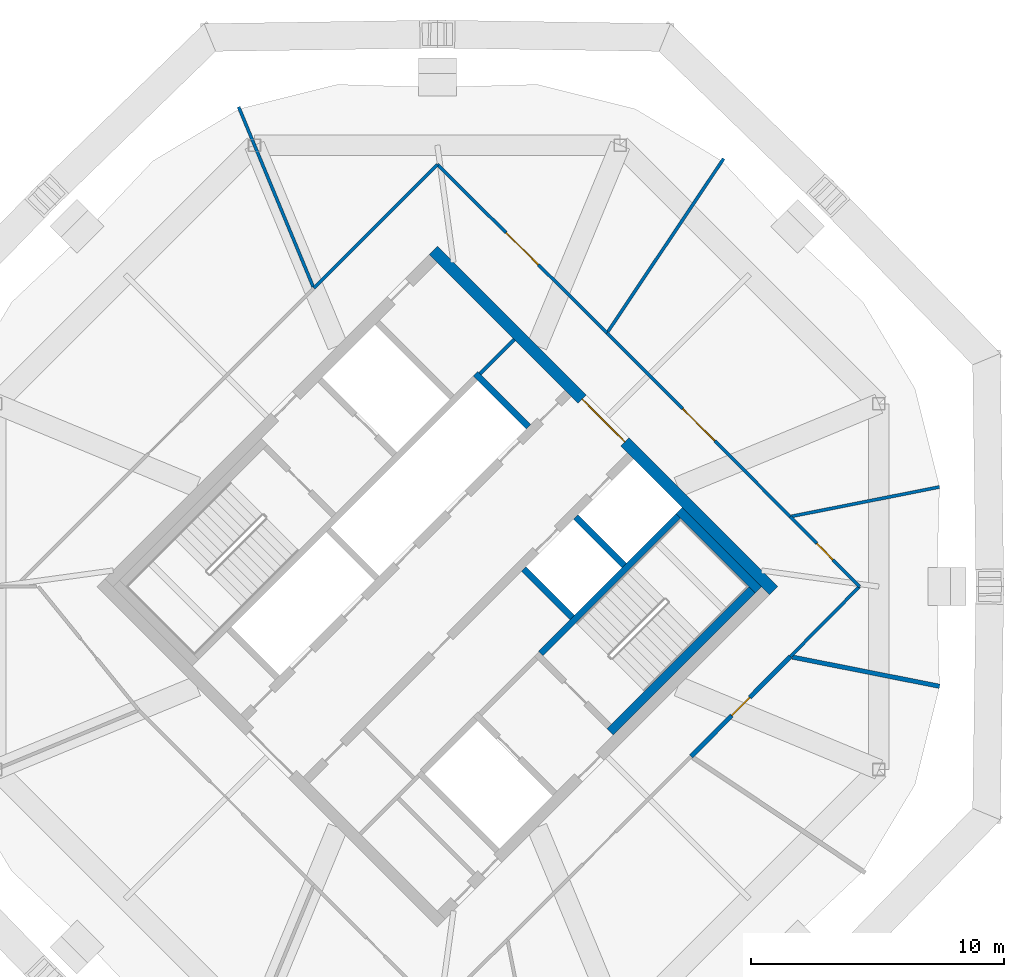
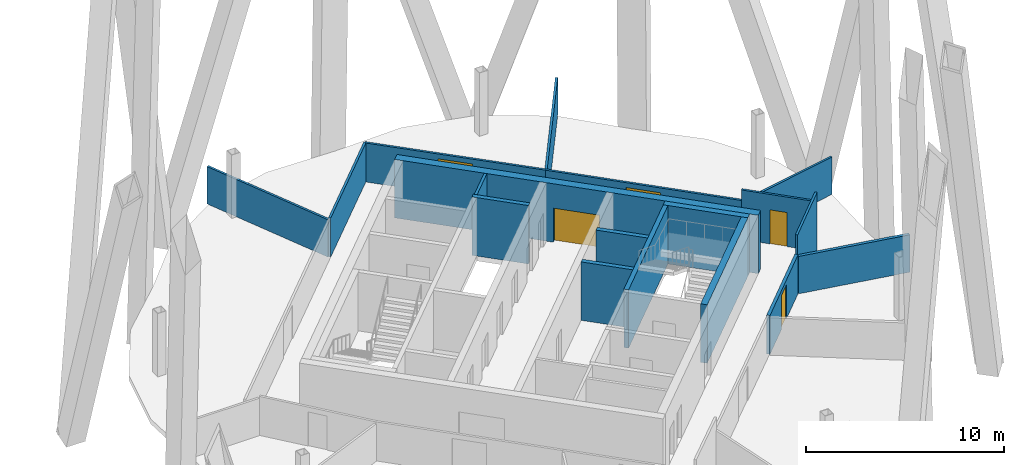
# One storey, part 8 of 11: 18 walls, 5 doors, 5 openings.
"""IFC4 building model written with IfcOpenShell, lengths in metres."""

from ifc_helpers import new_model, si_unit, direction, frame, frame_2d, origin, place, context, subcontext, project, spatial, rectangle, extrude, material, layer, layer_set, type_object, element, fill, save


model = new_model("IFC4")

# Units and contexts
model_context = context("Model", 3, precision=1e-05, world=origin(), true_north=direction((0.0, 1.0)))
body_context = subcontext(model_context, "Body", "Model", "MODEL_VIEW")
ifc_project = project(units=[si_unit("LENGTHUNIT", "METRE"), si_unit("AREAUNIT", "SQUARE_METRE"), si_unit("VOLUMEUNIT", "CUBIC_METRE"), si_unit("PLANEANGLEUNIT", "RADIAN"), si_unit("MASSUNIT", "GRAM", prefix="KILO")], contexts=[model_context])

# Site, building, storey
site_placement = place(None, origin())
site = spatial("IfcSite", under=ifc_project, at=site_placement, CompositionType="ELEMENT")
building_placement = place(site_placement, origin())
building = spatial("IfcBuilding", under=site, at=building_placement, Name="Ogive Gate Towers", CompositionType="ELEMENT")
storey_placement = place(building_placement, frame((0.0, 0.0, 244.5)))
storey = spatial("IfcBuildingStorey", under=building, at=storey_placement, Name="L58", CompositionType="ELEMENT", Elevation=244.5)

# Wall
ifc_material_1 = material(Name="Gypsum board acoustic partition")
ifc_layer_1 = layer(ifc_material_1, 0.175048828125)
ifc_layer_set_1 = layer_set([ifc_layer_1], Name="Acoustic partition 175")
wall_type_1 = type_object("IfcWallType", Name="Acoustic partition 175", PredefinedType="PARTITIONING", material=ifc_layer_set_1)
wall_1_placement = place(storey_placement, frame((55.822998046875, -3.93408203125, 0.0), z_axis=(0.0, 0.0, 1.0), x_axis=(-0.9808666392, 0.194680857059, 0.0)))
element("IfcWall", 1, at=wall_1_placement, inside=storey, type_object=wall_type_1, Name="Partition T2-L58-009", PredefinedType="PARTITIONING", context=body_context, shape_type="SweptSolid", body=[
    extrude(rectangle(XDim=5.921630859375, YDim=0.175048828125, at=frame_2d((2.9609375, 0.0))), origin(), (0.0, 0.0, 1.0), 2.300048828125),
])

# Wall, opening, door
wall_2_placement = place(storey_placement, frame((46.016845703125, -6.69921875, 0.0), z_axis=(0.0, 0.0, 1.0), x_axis=(0.705057815865, 0.709149826404, 0.0)))
wall_2 = element("IfcWall", 2, at=wall_2_placement, inside=storey, type_object=wall_type_1, Name="Partition T2-L58-016", PredefinedType="PARTITIONING", context=body_context, shape_type="SweptSolid", body=[
    extrude(rectangle(XDim=5.548583984375, YDim=0.175048828125, at=frame_2d((2.7744140625, 0.0))), origin(), (0.0, 0.0, 1.0), 2.39990234375),
])
opening_1_placement = place(wall_2_placement, frame((2.27392578125, 0.0, 0.0)))
opening_1 = element("IfcOpeningElement", 3, at=opening_1_placement, cuts=wall_2, Name="Opening T2-L58-D06", PredefinedType="OPENING", context=body_context, shape_type="SweptSolid", body=[
    extrude(rectangle(XDim=1.0, YDim=2.10009765625, at=frame_2d((0.5, 1.050048828125))), frame((0.0, 0.09765625, 0.0), z_axis=(0.0, -1.0, 0.0), x_axis=(1.0, 0.0, 0.0)), (0.0, 0.0, 1.0), 0.195068359375),
])
ifc_material_2 = material(Name="Timber door", Category="wood")
door_type_1 = type_object("IfcDoorType", Name="Door 1000", OperationType="NOTDEFINED", PredefinedType="DOOR", material=ifc_material_2)
door_1_placement = place(opening_1_placement, origin())
door_1 = element("IfcDoor", 4, at=door_1_placement, inside=storey, type_object=door_type_1, Name="Door T2-L58-D06", OperationType="SINGLE_SWING_RIGHT", OverallHeight=2.10009765625, OverallWidth=1.0, PredefinedType="DOOR", context=body_context, shape_type="SweptSolid", body=[
    extrude(rectangle(XDim=1.0, YDim=2.10009765625, at=frame_2d((0.5, 1.050048828125))), frame((0.0, 0.02490234375, 0.0), z_axis=(0.0, -1.0, 0.0), x_axis=(1.0, 0.0, 0.0)), (0.0, 0.0, 1.0), 0.050048828125),
])
fill(opening_1, door_1)

ifc_material_3 = material(Name="Concrete C60/75", Category="concrete")
ifc_layer_2 = layer(ifc_material_3, 0.449951171875)
ifc_layer_set_2 = layer_set([ifc_layer_2], Name="Core wall 450 mm")
wall_type_2 = type_object("IfcWallType", Name="Core wall 450 mm", PredefinedType="SHEAR", material=ifc_layer_set_2)
wall_3_placement = place(storey_placement, frame((49.27587890625, -0.1591796875, 0.0), z_axis=(0.0, 0.0, 1.0), x_axis=(-0.707106781187, 0.707106781187, 0.0)))
wall_3 = element("IfcWall", 5, at=wall_3_placement, inside=storey, type_object=wall_type_2, Name="T2 L58 Core wall 450 mm", PredefinedType="SHEAR", context=body_context, shape_type="SweptSolid", body=[
    extrude(rectangle(XDim=19.0, YDim=0.449951171875, at=frame_2d((9.5, 0.0))), origin(), (0.0, 0.0, 1.0), 3.60009765625),
])
opening_2_placement = place(wall_3_placement, frame((8.300048828125, 0.0, 0.0)))
opening_2 = element("IfcOpeningElement", 6, at=opening_2_placement, cuts=wall_3, Name="Opening KD-T2-L58-02", PredefinedType="OPENING", context=body_context, shape_type="SweptSolid", body=[
    extrude(rectangle(XDim=2.39990234375, YDim=2.10009765625, at=frame_2d((1.199951171875, 1.050048828125))), frame((0.0, 0.23486328125, 0.0), z_axis=(0.0, -1.0, 0.0), x_axis=(1.0, 0.0, 0.0)), (0.0, 0.0, 1.0), 0.469970703125),
])
ifc_material_4 = material(Name="Steel fire door", Category="steel")
door_type_2 = type_object("IfcDoorType", Name="Core double door FD60S 2400 x 2100", OperationType="DOUBLE_DOOR_SINGLE_SWING", PredefinedType="DOOR", material=ifc_material_4)
door_2_placement = place(opening_2_placement, origin())
door_2 = element("IfcDoor", 7, at=door_2_placement, inside=storey, type_object=door_type_2, Name="T2 L58 Core door double", OperationType="DOUBLE_DOOR_SINGLE_SWING", OverallHeight=2.10009765625, OverallWidth=2.39990234375, PredefinedType="DOOR", context=body_context, shape_type="SweptSolid", body=[
    extrude(rectangle(XDim=2.39990234375, YDim=2.10009765625, at=frame_2d((1.199951171875, 1.050048828125))), frame((0.0, 0.02490234375, 0.0), z_axis=(0.0, -1.0, 0.0), x_axis=(1.0, 0.0, 0.0)), (0.0, 0.0, 1.0), 0.050048828125),
])
fill(opening_2, door_2)

# Walls
ifc_material_5 = material(Name="Gypsum board partition")
ifc_layer_3 = layer(ifc_material_5, 0.125)
ifc_layer_set_3 = layer_set([ifc_layer_3], Name="Partition 125")
wall_type_3 = type_object("IfcWallType", Name="Partition 125", PredefinedType="PARTITIONING", material=ifc_layer_set_3)
wall_4_placement = place(storey_placement, frame((55.822998046875, 3.93408203125, 0.0), z_axis=(0.0, 0.0, 1.0), x_axis=(-0.980873285641, -0.194647367093, 0.0)))
element("IfcWall", 8, at=wall_4_placement, inside=storey, type_object=wall_type_3, Name="Partition T2-L58-001", PredefinedType="PARTITIONING", context=body_context, shape_type="SweptSolid", body=[
    extrude(rectangle(XDim=5.946533203125, YDim=0.125, at=frame_2d((2.97314453125, 0.0))), origin(), (0.0, 0.0, 1.0), 2.300048828125),
])
wall_5_placement = place(storey_placement, frame((47.300048828125, 16.89599609375, 0.0), z_axis=(0.0, 0.0, 1.0), x_axis=(-0.555927420899, -0.831230835985, 0.0)))
element("IfcWall", 9, at=wall_5_placement, inside=storey, type_object=wall_type_3, Name="Partition T2-L58-002", PredefinedType="PARTITIONING", context=body_context, shape_type="SweptSolid", body=[
    extrude(rectangle(XDim=8.213623046875, YDim=0.125, at=frame_2d((4.10693359375, 0.0))), origin(), (0.0, 0.0, 1.0), 2.300048828125),
])
wall_6_placement = place(storey_placement, frame((28.155517578125, 18.93798828125, 0.0), z_axis=(0.0, 0.0, 1.0), x_axis=(0.382690357736, -0.923876663898, 0.0)))
element("IfcWall", 10, at=wall_6_placement, inside=storey, type_object=wall_type_3, Name="Partition T2-L58-003", PredefinedType="PARTITIONING", context=body_context, shape_type="SweptSolid", body=[
    extrude(rectangle(XDim=7.684814453125, YDim=0.125, at=frame_2d((3.84228515625, 0.0))), origin(), (0.0, 0.0, 1.0), 2.300048828125),
])

# Wall, opening, door
wall_7_placement = place(storey_placement, frame((52.659423828125, 0.0, 0.0), z_axis=(0.0, 0.0, 1.0), x_axis=(-0.702726389959, 0.711460203282, 0.0)))
wall_7 = element("IfcWall", 11, at=wall_7_placement, inside=storey, type_object=wall_type_3, Name="Partition T2-L58-017", PredefinedType="PARTITIONING", context=body_context, shape_type="SweptSolid", body=[
    extrude(rectangle(XDim=3.885498046875, YDim=0.125, at=frame_2d((1.94287109375, 0.0))), origin(), (0.0, 0.0, 1.0), 3.050048828125),
])
opening_3_placement = place(wall_7_placement, frame((1.492919921875, 0.0, 0.0)))
opening_3 = element("IfcOpeningElement", 12, at=opening_3_placement, cuts=wall_7, Name="Opening T2-L58-D07", PredefinedType="OPENING", context=body_context, shape_type="SweptSolid", body=[
    extrude(rectangle(XDim=0.89990234375, YDim=2.10009765625, at=frame_2d((0.449951171875, 1.050048828125))), frame((0.0, 0.072509765625, 0.0), z_axis=(0.0, -1.0, 0.0), x_axis=(1.0, 0.0, 0.0)), (0.0, 0.0, 1.0), 0.14501953125),
])
door_type_3 = type_object("IfcDoorType", Name="Door 900", OperationType="NOTDEFINED", PredefinedType="DOOR", material=ifc_material_2)
door_3_placement = place(opening_3_placement, origin())
door_3 = element("IfcDoor", 13, at=door_3_placement, inside=storey, type_object=door_type_3, Name="Door T2-L58-D07", OperationType="SINGLE_SWING_LEFT", OverallHeight=2.10009765625, OverallWidth=0.89990234375, PredefinedType="DOOR", context=body_context, shape_type="SweptSolid", body=[
    extrude(rectangle(XDim=0.89990234375, YDim=2.10009765625, at=frame_2d((0.449951171875, 1.050048828125))), frame((0.0, 0.02490234375, 0.0), z_axis=(0.0, -1.0, 0.0), x_axis=(1.0, 0.0, 0.0)), (0.0, 0.0, 1.0), 0.050048828125),
])
fill(opening_3, door_3)

# Wall
wall_8_placement = place(storey_placement, frame((49.928955078125, -2.764404296875, 0.0), z_axis=(0.0, 0.0, 1.0), x_axis=(0.702726389959, 0.711460203282, 0.0)))
element("IfcWall", 14, at=wall_8_placement, inside=storey, type_object=wall_type_3, Name="Partition T2-L58-018", PredefinedType="PARTITIONING", context=body_context, shape_type="SweptSolid", body=[
    extrude(rectangle(XDim=3.885498046875, YDim=0.125, at=frame_2d((1.94287109375, 0.0))), origin(), (0.0, 0.0, 1.0), 3.60009765625),
])

# Wall, opening, door
wall_9_placement = place(storey_placement, frame((49.928955078125, 2.764404296875, 0.0), z_axis=(0.0, 0.0, 1.0), x_axis=(-0.705997315424, 0.708214508898, 0.0)))
wall_9 = element("IfcWall", 15, at=wall_9_placement, inside=storey, type_object=wall_type_3, Name="Partition T2-L58-019", PredefinedType="PARTITIONING", context=body_context, shape_type="SweptSolid", body=[
    extrude(rectangle(XDim=10.240478515625, YDim=0.125, at=frame_2d((5.1201171875, 0.0))), origin(), (0.0, 0.0, 1.0), 2.39990234375),
])
opening_4_placement = place(wall_9_placement, frame((4.219970703125, 0.0, 0.0)))
opening_4 = element("IfcOpeningElement", 16, at=opening_4_placement, cuts=wall_9, Name="Opening T2-L58-D08", PredefinedType="OPENING", context=body_context, shape_type="SweptSolid", body=[
    extrude(rectangle(XDim=1.800048828125, YDim=2.10009765625, at=frame_2d((0.89990234375, 1.050048828125))), frame((0.0, 0.072509765625, 0.0), z_axis=(0.0, -1.0, 0.0), x_axis=(1.0, 0.0, 0.0)), (0.0, 0.0, 1.0), 0.14501953125),
])
door_type_4 = type_object("IfcDoorType", Name="Door pair 1800", OperationType="NOTDEFINED", PredefinedType="DOOR", material=ifc_material_2)
door_4_placement = place(opening_4_placement, origin())
door_4 = element("IfcDoor", 17, at=door_4_placement, inside=storey, type_object=door_type_4, Name="Door T2-L58-D08", OperationType="DOUBLE_DOOR_DOUBLE_SWING", OverallHeight=2.10009765625, OverallWidth=1.800048828125, PredefinedType="DOOR", context=body_context, shape_type="SweptSolid", body=[
    extrude(rectangle(XDim=1.800048828125, YDim=2.10009765625, at=frame_2d((0.89990234375, 1.050048828125))), frame((0.0, 0.02490234375, 0.0), z_axis=(0.0, -1.0, 0.0), x_axis=(1.0, 0.0, 0.0)), (0.0, 0.0, 1.0), 0.050048828125),
])
fill(opening_4, door_4)

wall_10_placement = place(storey_placement, frame((42.69921875, 10.016845703125, 0.0), z_axis=(0.0, 0.0, 1.0), x_axis=(-0.710102299362, 0.704098518988, 0.0)))
wall_10 = element("IfcWall", 18, at=wall_10_placement, inside=storey, type_object=wall_type_3, Name="Partition T2-L58-020", PredefinedType="PARTITIONING", context=body_context, shape_type="SweptSolid", body=[
    extrude(rectangle(XDim=9.43408203125, YDim=0.125, at=frame_2d((4.717041015625, 0.0))), origin(), (0.0, 0.0, 1.0), 2.39990234375),
])
opening_5_placement = place(wall_10_placement, frame((3.81689453125, 0.0, 0.0)))
opening_5 = element("IfcOpeningElement", 19, at=opening_5_placement, cuts=wall_10, Name="Opening T2-L58-D09", PredefinedType="OPENING", context=body_context, shape_type="SweptSolid", body=[
    extrude(rectangle(XDim=1.800048828125, YDim=2.10009765625, at=frame_2d((0.89990234375, 1.050048828125))), frame((0.0, 0.072509765625, 0.0), z_axis=(0.0, -1.0, 0.0), x_axis=(1.0, 0.0, 0.0)), (0.0, 0.0, 1.0), 0.14501953125),
])
door_5_placement = place(opening_5_placement, origin())
door_5 = element("IfcDoor", 20, at=door_5_placement, inside=storey, type_object=door_type_4, Name="Door T2-L58-D09", OperationType="DOUBLE_DOOR_DOUBLE_SWING", OverallHeight=2.10009765625, OverallWidth=1.800048828125, PredefinedType="DOOR", context=body_context, shape_type="SweptSolid", body=[
    extrude(rectangle(XDim=1.800048828125, YDim=2.10009765625, at=frame_2d((0.89990234375, 1.050048828125))), frame((0.0, 0.02490234375, 0.0), z_axis=(0.0, -1.0, 0.0), x_axis=(1.0, 0.0, 0.0)), (0.0, 0.0, 1.0), 0.050048828125),
])
fill(opening_5, door_5)

# Walls
wall_11_placement = place(storey_placement, frame((36.0, 16.659423828125, 0.0), z_axis=(0.0, 0.0, 1.0), x_axis=(-0.70715985068, -0.70705370771, 0.0)))
element("IfcWall", 21, at=wall_11_placement, inside=storey, type_object=wall_type_3, Name="Partition T2-L58-021", PredefinedType="PARTITIONING", context=body_context, shape_type="SweptSolid", body=[
    extrude(rectangle(XDim=6.900390625, YDim=0.125, at=frame_2d((3.4501953125, 0.0))), origin(), (0.0, 0.0, 1.0), 2.39990234375),
])
ifc_layer_4 = layer(ifc_material_5, 0.14990234375)
ifc_layer_set_4 = layer_set([ifc_layer_4], Name="Room partition 150 mm")
wall_type_4 = type_object("IfcWallType", Name="Room partition 150 mm", PredefinedType="PARTITIONING", material=ifc_layer_set_4)
wall_12_placement = place(storey_placement, frame((37.679443359375, 8.39697265625, 0.0), z_axis=(0.0, 0.0, 1.0), x_axis=(0.707106781187, 0.707106781187, 0.0)))
element("IfcWall", 22, at=wall_12_placement, inside=storey, type_object=wall_type_4, Name="T2 L58 Room partition 150 mm", PredefinedType="PARTITIONING", context=body_context, shape_type="SweptSolid", body=[
    extrude(rectangle(XDim=1.9248046875, YDim=0.14990234375, at=frame_2d((0.96240234375, 0.0))), origin(), (0.0, 0.0, 1.0), 3.60009765625),
])
ifc_layer_5 = layer(ifc_material_3, 0.25)
ifc_layer_set_5 = layer_set([ifc_layer_5], Name="Shaft wall 250 mm")
wall_type_5 = type_object("IfcWallType", Name="Shaft wall 250 mm", PredefinedType="SHEAR", material=ifc_layer_set_5)
wall_13_placement = place(storey_placement, frame((40.08349609375, -2.634033203125, 0.0), z_axis=(0.0, 0.0, 1.0), x_axis=(0.707090876314, 0.707122685701, 0.0)))
element("IfcWall", 23, at=wall_13_placement, inside=storey, type_object=wall_type_5, Name="T2 L58 Shaft wall 250 mm", PredefinedType="SHEAR", context=body_context, shape_type="SweptSolid", body=[
    extrude(rectangle(XDim=7.675048828125, YDim=0.25, at=frame_2d((3.83740234375, 0.0))), origin(), (0.0, 0.0, 1.0), 3.60009765625),
])
for number, where, z_axis, x_axis, name in (
    (24, (41.321044921875, -1.2197265625, 0.0), (0.0, 0.0, 1.0), (-0.707106781187, 0.707106781187, 0.0), "T2 L58 Shaft wall 250 mm"),
    (25, (43.37158203125, 0.830810546875, 0.0), (0.0, 0.0, 1.0), (-0.707106781187, 0.707106781187, 0.0), "T2 L58 Shaft wall 250 mm"),
):
    element("IfcWall", number, at=place(storey_placement, frame(where, z_axis=z_axis, x_axis=x_axis)), inside=storey, type_object=wall_type_5, Name=name, PredefinedType="SHEAR", context=body_context, shape_type="SweptSolid", body=[
        extrude(rectangle(XDim=2.699951171875, YDim=0.25, at=frame_2d((1.35009765625, 0.0))), origin(), (0.0, 0.0, 1.0), 3.60009765625),
    ])
wall_14_placement = place(storey_placement, frame((39.588623046875, 6.310791015625, 0.0), z_axis=(0.0, 0.0, 1.0), x_axis=(-0.707065402085, 0.707148157867, 0.0)))
element("IfcWall", 26, at=wall_14_placement, inside=storey, type_object=wall_type_5, Name="T2 L58 Shaft wall 250 mm", PredefinedType="SHEAR", context=body_context, shape_type="SweptSolid", body=[
    extrude(rectangle(XDim=2.9501953125, YDim=0.25, at=frame_2d((1.47509765625, 0.0))), origin(), (0.0, 0.0, 1.0), 3.60009765625),
])
ifc_layer_6 = layer(ifc_material_3, 0.35009765625)
ifc_layer_set_6 = layer_set([ifc_layer_6], Name="Stair wall 350 mm")
wall_type_6 = type_object("IfcWallType", Name="Stair wall 350 mm", PredefinedType="SHEAR", material=ifc_layer_set_6)
wall_15_placement = place(storey_placement, frame((42.823486328125, -5.7275390625, 0.0), z_axis=(0.0, 0.0, 1.0), x_axis=(0.707122184046, 0.707091377991, 0.0)))
element("IfcWall", 27, at=wall_15_placement, inside=storey, type_object=wall_type_6, Name="T2 L58 Stair wall 350 mm", PredefinedType="SHEAR", context=body_context, shape_type="SweptSolid", body=[
    extrude(rectangle(XDim=7.925048828125, YDim=0.35009765625, at=frame_2d((3.96240234375, 0.0))), origin(), (0.0, 0.0, 1.0), 3.60009765625),
])
wall_16_placement = place(storey_placement, frame((48.6748046875, -0.123779296875, 0.0), z_axis=(0.0, 0.0, 1.0), x_axis=(-0.707106781187, 0.707106781187, 0.0)))
element("IfcWall", 28, at=wall_16_placement, inside=storey, type_object=wall_type_6, Name="T2 L58 Stair wall 350 mm", PredefinedType="SHEAR", context=body_context, shape_type="SweptSolid", body=[
    extrude(rectangle(XDim=4.425048828125, YDim=0.35009765625, at=frame_2d((2.21240234375, 0.0))), origin(), (0.0, 0.0, 1.0), 3.60009765625),
])

save(model, "model.ifc")
